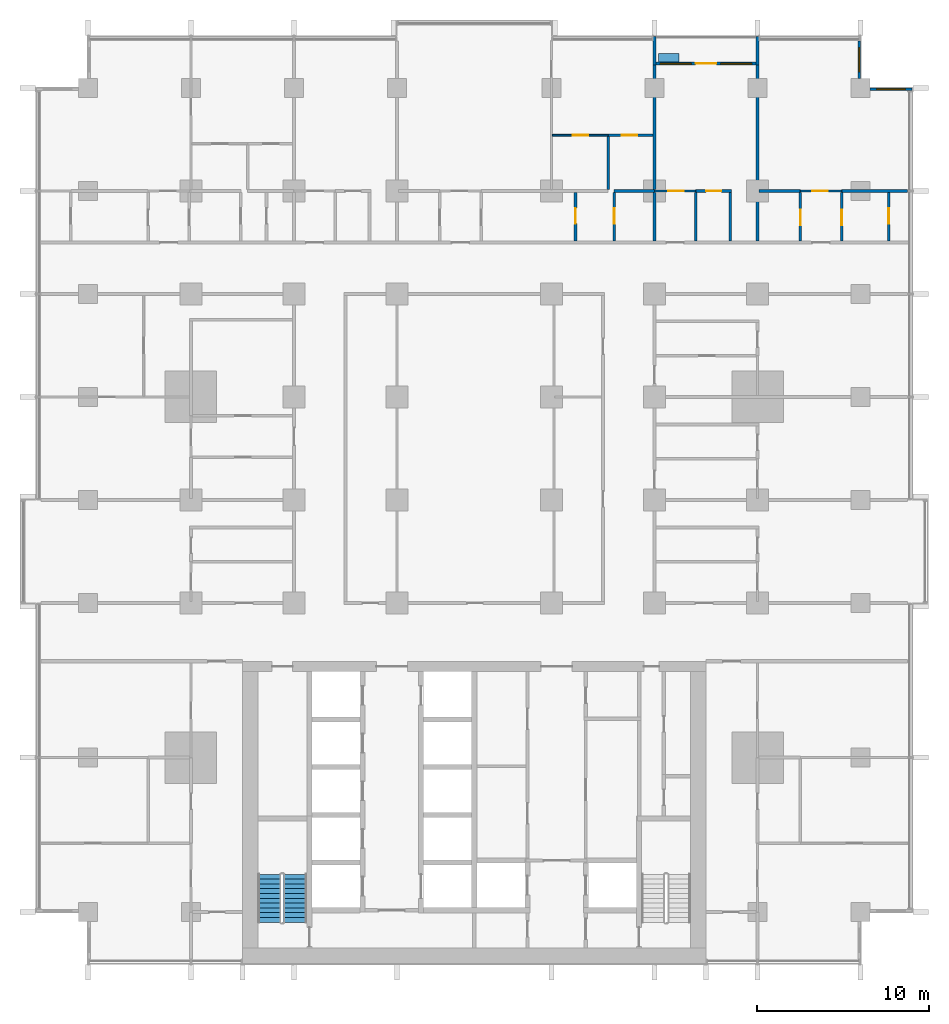
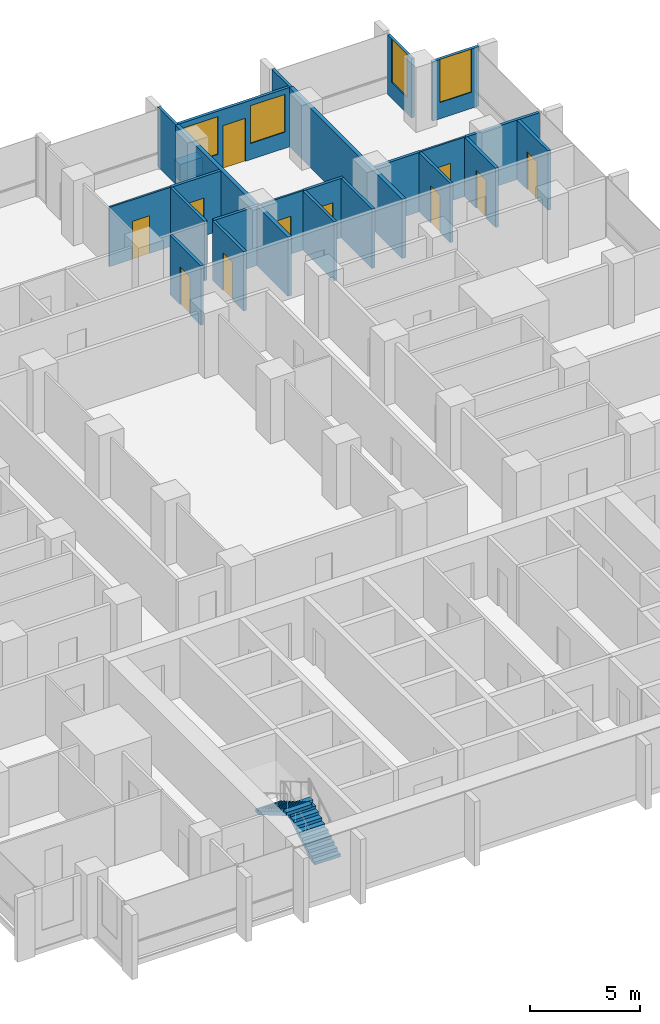
# One storey, part 12 of 18: 25 walls, 11 doors, 4 windows, 2 stair flights, 15 openings, 1 element without a shape of its own.
"""IFC4 building model written with IfcOpenShell, lengths in metres."""

import ifcopenshell
import ifcopenshell.guid

model = None  # the IFC model being written
_history = None  # IfcOwnerHistory: only IFC2X3 demands one
_inside = {}  # id of a spatial element -> (the spatial element, [elements in it])
_under = {}  # id of a project, library or spatial element -> (it, [spatial elements below it])
_declared = {}  # id of a project -> (the project, [libraries it declares])
_typed = {}  # id of a type object -> (the type object, [elements of that type])
_made_of = {}  # id of a material, layer set ... -> (it, [elements and type objects made of it])


def new_model(schema):
    """Start an empty IFC model of exactly this schema.

    Asked for "IFC4X3", IfcOpenShell would pick the latest addendum, in which some entities
    have other attributes; the version numbers below select the first issue.
    IFC2X3 requires an IfcOwnerHistory on every rooted entity: one is made here for all.
    """
    global model, _history
    if schema == "IFC4X3":
        model = ifcopenshell.file(schema_version=(4, 3, 0, 0))
    else:
        model = ifcopenshell.file(schema=schema)
    _inside.clear()
    _under.clear()
    _declared.clear()
    _typed.clear()
    _made_of.clear()
    _history = None
    if model.schema == "IFC2X3":
        org = make("IfcOrganization", Name="unknown")
        user = make(
            "IfcPersonAndOrganization",
            ThePerson=make("IfcPerson", FamilyName="unknown"),
            TheOrganization=org,
        )
        app = make(
            "IfcApplication",
            ApplicationDeveloper=org,
            Version="unknown",
            ApplicationFullName="unknown",
            ApplicationIdentifier="unknown",
        )
        _history = make(
            "IfcOwnerHistory",
            OwningUser=user,
            OwningApplication=app,
            ChangeAction="ADDED",
            CreationDate=0,
        )
    return model


def make(cls, **values):
    """One entity of the class cls with the attributes given. An attribute that is None is left unset."""
    return model.create_entity(
        cls, **{name: value for name, value in values.items() if value is not None}
    )


def rooted(cls, **values):
    """An entity with a GlobalId (a new one), such as an element, a storey or a relation."""
    return make(cls, GlobalId=ifcopenshell.guid.new(), OwnerHistory=_history, **values)


def si_unit(unit_type, name, prefix=None):
    """IfcSIUnit, for example si_unit("LENGTHUNIT", "METRE", prefix="MILLI")."""
    return make("IfcSIUnit", UnitType=unit_type, Prefix=prefix, Name=name)


def assignment(units):
    """IfcUnitAssignment: the units of a project."""
    return None if units is None else make("IfcUnitAssignment", Units=units)


def point(xyz):
    """IfcCartesianPoint."""
    return None if xyz is None else make("IfcCartesianPoint", Coordinates=xyz)


def direction(xyz):
    """IfcDirection."""
    return None if xyz is None else make("IfcDirection", DirectionRatios=xyz)


def frame(location, z_axis=None, x_axis=None):
    """IfcAxis2Placement3D, a coordinate frame: its origin and axes. An axis left out is left unset."""
    return make(
        "IfcAxis2Placement3D",
        Location=point(location),
        Axis=direction(z_axis),
        RefDirection=direction(x_axis),
    )


def frame_2d(location, x_axis=None):
    """IfcAxis2Placement2D, a coordinate frame in the plane: its origin and x axis."""
    return make(
        "IfcAxis2Placement2D", Location=point(location), RefDirection=direction(x_axis)
    )


def origin():
    """The frame at (0, 0, 0) with its axes left unset."""
    return frame((0.0, 0.0, 0.0))


def place(relative_to, where):
    """IfcLocalPlacement: puts the frame where relative to a parent placement (None: the world)."""
    return make(
        "IfcLocalPlacement", PlacementRelTo=relative_to, RelativePlacement=where
    )


def context(
    kind, dimensions, precision=None, world=None, true_north=None, identifier=None
):
    """IfcGeometricRepresentationContext, for example the 3D "Model" context."""
    return make(
        "IfcGeometricRepresentationContext",
        ContextIdentifier=identifier,
        ContextType=kind,
        CoordinateSpaceDimension=dimensions,
        Precision=precision,
        WorldCoordinateSystem=world,
        TrueNorth=true_north,
    )


def subcontext(parent, identifier, kind, view, scale=None):
    """IfcGeometricRepresentationSubContext, for example "Body" below "Model"."""
    return make(
        "IfcGeometricRepresentationSubContext",
        ContextIdentifier=identifier,
        ContextType=kind,
        ParentContext=parent,
        TargetScale=scale,
        TargetView=view,
    )


def project(units=None, contexts=None):
    """IfcProject with its units and contexts."""
    return rooted(
        "IfcProject",
        Name="project",
        RepresentationContexts=contexts,
        UnitsInContext=assignment(units),
    )


def spatial(cls, under=None, at=None, **own):
    """A site, building, storey or space (cls), placed at a placement, below another one or the project."""
    s = rooted(cls, ObjectPlacement=at, **own)
    if under is not None:
        _under.setdefault(under.id(), (under, []))[1].append(s)
    return s


def polyline(points):
    """IfcPolyline through the points."""
    return make("IfcPolyline", Points=[point(p) for p in points])


def profile(cls, at=None, kind="AREA", **sizes):
    """A parametric profile (cls). Its sizes go by their IFC names, for example OverallWidth=200.0."""
    return make(cls, ProfileType=kind, Position=at, **sizes)


def rectangle(**sizes):
    """IfcRectangleProfileDef."""
    return profile("IfcRectangleProfileDef", **sizes)


def outline(outer, holes=None, kind="AREA"):
    """IfcArbitraryClosedProfileDef: a profile drawn as a closed curve; with holes, ...WithVoids."""
    if holes is None:
        return make("IfcArbitraryClosedProfileDef", ProfileType=kind, OuterCurve=outer)
    return make(
        "IfcArbitraryProfileDefWithVoids",
        ProfileType=kind,
        OuterCurve=outer,
        InnerCurves=holes,
    )


def extrude(swept, where, along, depth):
    """IfcExtrudedAreaSolid: the profile swept, set in the frame where, extruded along a direction by depth."""
    return make(
        "IfcExtrudedAreaSolid",
        SweptArea=swept,
        Position=where,
        ExtrudedDirection=direction(along),
        Depth=depth,
    )


def shape(context_of_items, identifier, shape_type, items):
    """IfcShapeRepresentation: the items that make up one representation, for example the "Body"."""
    return make(
        "IfcShapeRepresentation",
        ContextOfItems=context_of_items,
        RepresentationIdentifier=identifier,
        RepresentationType=shape_type,
        Items=items,
    )


def material(Name=None, Category=None):
    """IfcMaterial."""
    return make("IfcMaterial", Name=Name, Category=Category)


def layer(
    of_material, thickness, ventilated=None, Name=None, Category=None, Priority=None
):
    """IfcMaterialLayer: one layer of a wall or slab, of a material (None: an air gap)."""
    return make(
        "IfcMaterialLayer",
        Material=of_material,
        LayerThickness=thickness,
        IsVentilated=ventilated,
        Name=Name,
        Category=Category,
        Priority=Priority,
    )


def layer_set(layers, Name=None):
    """IfcMaterialLayerSet."""
    return make("IfcMaterialLayerSet", MaterialLayers=layers, LayerSetName=Name)


def made_of(thing, what):
    """Note that an element or type object is made of a material, layer set ...; save() writes the relation."""
    if what is not None:
        _made_of.setdefault(what.id(), (what, []))[1].append(thing)
    return thing


def type_object(cls, material=None, **own):
    """A type object (cls), such as IfcWallType, which elements share."""
    return made_of(rooted(cls, **own), material)


def element(
    cls,
    number,
    at=None,
    inside=None,
    cuts=None,
    type_object=None,
    material=None,
    context=None,
    identifier="Body",
    shape_type=None,
    held_by="IfcProductDefinitionShape",
    body=None,
    shapes=None,
    **own,
):
    """One element of the class cls, such as IfcWall. Its Tag is "e" and its number.

    at: its placement. inside: the storey or other place that contains it. cuts: it is an
    opening in that element (IfcRelVoidsElement). A single representation is given by context,
    identifier, shape_type and body (its items); several are given by shapes. held_by: the class
    of the entity that holds the representations. save() writes the other relations.
    """
    e = rooted(cls, Tag="e%d" % number, ObjectPlacement=at, **own)
    if body is not None:
        shapes = [shape(context, identifier, shape_type, body)]
    if shapes is not None:
        e.Representation = make(held_by, Representations=shapes)
    if inside is not None:
        _inside.setdefault(inside.id(), (inside, []))[1].append(e)
    if cuts is not None:
        rooted(
            "IfcRelVoidsElement", RelatingBuildingElement=cuts, RelatedOpeningElement=e
        )
    if type_object is not None:
        _typed.setdefault(type_object.id(), (type_object, []))[1].append(e)
    return made_of(e, material)


def fill(opening, filler):
    """IfcRelFillsElement: the door or window that sits in an opening."""
    return rooted(
        "IfcRelFillsElement",
        RelatingOpeningElement=opening,
        RelatedBuildingElement=filler,
    )


def aggregate(whole, parts):
    """IfcRelAggregates: a whole, such as a stair, and the parts it consists of."""
    return rooted("IfcRelAggregates", RelatingObject=whole, RelatedObjects=parts)


def save(model, path):
    """Write the relations noted so far, then the file.

    IfcRelAggregates (storeys below a building ...), IfcRelContainedInSpatialStructure (elements
    in a storey), IfcRelDefinesByType, IfcRelAssociatesMaterial and IfcRelDeclares: one each for
    every whole, place, type object, material and project.
    """
    for whole, parts in _under.values():
        aggregate(whole, parts)
    for where, things in _inside.values():
        rooted(
            "IfcRelContainedInSpatialStructure",
            RelatedElements=things,
            RelatingStructure=where,
        )
    for kind, things in _typed.values():
        rooted("IfcRelDefinesByType", RelatedObjects=things, RelatingType=kind)
    for what, things in _made_of.values():
        rooted("IfcRelAssociatesMaterial", RelatedObjects=things, RelatingMaterial=what)
    for by, libraries in _declared.values():
        rooted("IfcRelDeclares", RelatingContext=by, RelatedDefinitions=libraries)
    model.write(path)


model = new_model("IFC4")

# Units and contexts
model_context = context("Model", 3, precision=1e-05, world=origin(), true_north=direction((0.0, 1.0)))
body_context = subcontext(model_context, "Body", "Model", "MODEL_VIEW")
ifc_project = project(units=[si_unit("LENGTHUNIT", "METRE"), si_unit("AREAUNIT", "SQUARE_METRE"), si_unit("VOLUMEUNIT", "CUBIC_METRE"), si_unit("PLANEANGLEUNIT", "RADIAN"), si_unit("MASSUNIT", "GRAM", prefix="KILO")], contexts=[model_context])

# Site, building, storey
site_placement = place(None, origin())
site = spatial("IfcSite", under=ifc_project, at=site_placement, CompositionType="ELEMENT")
building_placement = place(site_placement, origin())
building = spatial("IfcBuilding", under=site, at=building_placement, Name="Finial Court Residences", CompositionType="ELEMENT")
storey_placement = place(building_placement, frame((0.0, 0.0, 57.699951171875)))
storey = spatial("IfcBuildingStorey", under=building, at=storey_placement, Name="L13", CompositionType="ELEMENT", Elevation=57.699951171875)

# Walls
ifc_material_1 = material(Name="Gypsum board")
ifc_layer_1 = layer(ifc_material_1, 0.02490234375)
ifc_material_2 = material(Name="Acoustic mineral wool in double frame")
ifc_layer_2 = layer(ifc_material_2, 0.14990234375)
ifc_layer_3 = layer(ifc_material_1, 0.02490234375)
ifc_layer_set_1 = layer_set([ifc_layer_1, ifc_layer_2, ifc_layer_3], Name="Acoustic party wall 200, 1 hour")
wall_type_1 = type_object("IfcWallType", Name="Acoustic party wall 200, 1 hour", PredefinedType="PARTITIONING", material=ifc_layer_set_1)
wall_1_placement = place(storey_placement, frame((10.5, 16.60009765625, 0.0), z_axis=(0.0, 0.0, 1.0), x_axis=(0.0, 1.0, 0.0)))
element("IfcWall", 1, at=wall_1_placement, inside=storey, type_object=wall_type_1, Name="Partition L13-090", PredefinedType="PARTITIONING", context=body_context, shape_type="SweptSolid", body=[
    extrude(rectangle(XDim=2.824951171875, YDim=0.199951171875, at=frame_2d((1.41259765625, 0.0))), origin(), (0.0, 0.0, 1.0), 3.300048828125),
])
wall_2_placement = place(storey_placement, frame((10.5, 19.574951171875, 0.0), z_axis=(0.0, 0.0, 1.0), x_axis=(0.0, 1.0, 0.0)))
element("IfcWall", 2, at=wall_2_placement, inside=storey, type_object=wall_type_1, Name="Partition L13-091", PredefinedType="PARTITIONING", context=body_context, shape_type="SweptSolid", body=[
    extrude(rectangle(XDim=7.275146484375, YDim=0.199951171875, at=frame_2d((3.6376953125, 0.0))), origin(), (0.0, 0.0, 1.0), 3.300048828125),
])
wall_3_placement = place(storey_placement, frame((16.5, 16.60009765625, 0.0), z_axis=(0.0, 0.0, 1.0), x_axis=(0.0, 1.0, 0.0)))
element("IfcWall", 3, at=wall_3_placement, inside=storey, type_object=wall_type_1, Name="Partition L13-099", PredefinedType="PARTITIONING", context=body_context, shape_type="SweptSolid", body=[
    extrude(rectangle(XDim=10.25, YDim=0.199951171875, at=frame_2d((5.125, 0.0))), origin(), (0.0, 0.0, 1.0), 3.300048828125),
])

# Wall, opening, door
ifc_layer_4 = layer(ifc_material_1, 0.012451171875)
ifc_material_3 = material(Name="Mineral wool in light-gauge frame")
ifc_layer_5 = layer(ifc_material_3, 0.074951171875)
ifc_layer_6 = layer(ifc_material_1, 0.012451171875)
ifc_layer_set_2 = layer_set([ifc_layer_4, ifc_layer_5, ifc_layer_6], Name="Gypsum board partition 100")
wall_type_2 = type_object("IfcWallType", Name="Gypsum board partition 100", PredefinedType="PARTITIONING", material=ifc_layer_set_2)
wall_4_placement = place(storey_placement, frame((10.5, 19.5, 0.0), z_axis=(0.0, 0.0, 1.0), x_axis=(1.0, 0.0, 0.0)))
wall_4 = element("IfcWall", 4, at=wall_4_placement, inside=storey, type_object=wall_type_2, Name="Partition L13-039", PredefinedType="PARTITIONING", context=body_context, shape_type="SweptSolid", body=[
    extrude(rectangle(XDim=2.39990234375, YDim=0.10009765625, at=frame_2d((1.199951171875, 0.0))), origin(), (0.0, 0.0, 1.0), 3.300048828125),
])
opening_1_placement = place(wall_4_placement, frame((0.800048828125, 0.0, 0.0)))
opening_1 = element("IfcOpeningElement", 5, at=opening_1_placement, cuts=wall_4, Name="Opening L13-D023", PredefinedType="OPENING", context=body_context, shape_type="SweptSolid", body=[
    extrude(rectangle(XDim=0.89990234375, YDim=2.10009765625, at=frame_2d((0.449951171875, 1.050048828125))), frame((0.0, 0.06005859375, 0.0), z_axis=(0.0, -1.0, 0.0), x_axis=(1.0, 0.0, 0.0)), (0.0, 0.0, 1.0), 0.1201171875),
])
ifc_material_4 = material(Name="Timber door leaf in timber frame", Category="wood")
door_type_1 = type_object("IfcDoorType", Name="Door set 900 x 2100", OperationType="SINGLE_SWING_LEFT", PredefinedType="DOOR", material=ifc_material_4)
door_1_placement = place(opening_1_placement, origin())
door_1 = element("IfcDoor", 6, at=door_1_placement, inside=storey, type_object=door_type_1, Name="Door L13-D023", OperationType="SINGLE_SWING_RIGHT", OverallHeight=2.10009765625, OverallWidth=0.89990234375, PredefinedType="DOOR", context=body_context, shape_type="SweptSolid", body=[
    extrude(rectangle(XDim=0.89990234375, YDim=2.10009765625, at=frame_2d((0.449951171875, 1.050048828125))), frame((0.0, 0.02490234375, 0.0), z_axis=(0.0, -1.0, 0.0), x_axis=(1.0, 0.0, 0.0)), (0.0, 0.0, 1.0), 0.050048828125),
])
fill(opening_1, door_1)

wall_5_placement = place(storey_placement, frame((19.0, 19.5, 0.0), z_axis=(0.0, 0.0, 1.0), x_axis=(1.0, 0.0, 0.0)))
wall_5 = element("IfcWall", 7, at=wall_5_placement, inside=storey, type_object=wall_type_2, Name="Partition L13-040", PredefinedType="PARTITIONING", context=body_context, shape_type="SweptSolid", body=[
    extrude(rectangle(XDim=2.39990234375, YDim=0.10009765625, at=frame_2d((1.199951171875, 0.0))), origin(), (0.0, 0.0, 1.0), 3.300048828125),
])
opening_2_placement = place(wall_5_placement, frame((0.699951171875, 0.0, 0.0)))
opening_2 = element("IfcOpeningElement", 8, at=opening_2_placement, cuts=wall_5, Name="Opening L13-D024", PredefinedType="OPENING", context=body_context, shape_type="SweptSolid", body=[
    extrude(rectangle(XDim=0.89990234375, YDim=2.10009765625, at=frame_2d((0.449951171875, 1.050048828125))), frame((0.0, 0.06005859375, 0.0), z_axis=(0.0, -1.0, 0.0), x_axis=(1.0, 0.0, 0.0)), (0.0, 0.0, 1.0), 0.1201171875),
])
door_2_placement = place(opening_2_placement, origin())
door_2 = element("IfcDoor", 9, at=door_2_placement, inside=storey, type_object=door_type_1, Name="Door L13-D024", OperationType="SINGLE_SWING_RIGHT", OverallHeight=2.10009765625, OverallWidth=0.89990234375, PredefinedType="DOOR", context=body_context, shape_type="SweptSolid", body=[
    extrude(rectangle(XDim=0.89990234375, YDim=2.10009765625, at=frame_2d((0.449951171875, 1.050048828125))), frame((0.0, 0.02490234375, 0.0), z_axis=(0.0, -1.0, 0.0), x_axis=(1.0, 0.0, 0.0)), (0.0, 0.0, 1.0), 0.050048828125),
])
fill(opening_2, door_2)

wall_6_placement = place(storey_placement, frame((4.550048828125, 22.75, 0.0), z_axis=(0.0, 0.0, 1.0), x_axis=(1.0, 0.0, 0.0)))
wall_6 = element("IfcWall", 10, at=wall_6_placement, inside=storey, type_object=wall_type_2, Name="Partition L13-053", PredefinedType="PARTITIONING", context=body_context, shape_type="SweptSolid", body=[
    extrude(rectangle(XDim=3.25, YDim=0.10009765625, at=frame_2d((1.625, 0.0))), origin(), (0.0, 0.0, 1.0), 3.300048828125),
])
opening_3_placement = place(wall_6_placement, frame((1.199951171875, 0.0, 0.0)))
opening_3 = element("IfcOpeningElement", 11, at=opening_3_placement, cuts=wall_6, Name="Opening L13-D029", PredefinedType="OPENING", context=body_context, shape_type="SweptSolid", body=[
    extrude(rectangle(XDim=0.89990234375, YDim=2.10009765625, at=frame_2d((0.449951171875, 1.050048828125))), frame((0.0, 0.06005859375, 0.0), z_axis=(0.0, -1.0, 0.0), x_axis=(1.0, 0.0, 0.0)), (0.0, 0.0, 1.0), 0.1201171875),
])
door_3_placement = place(opening_3_placement, origin())
door_3 = element("IfcDoor", 12, at=door_3_placement, inside=storey, type_object=door_type_1, Name="Door L13-D029", OperationType="SINGLE_SWING_LEFT", OverallHeight=2.10009765625, OverallWidth=0.89990234375, PredefinedType="DOOR", context=body_context, shape_type="SweptSolid", body=[
    extrude(rectangle(XDim=0.89990234375, YDim=2.10009765625, at=frame_2d((0.449951171875, 1.050048828125))), frame((0.0, 0.02490234375, 0.0), z_axis=(0.0, -1.0, 0.0), x_axis=(1.0, 0.0, 0.0)), (0.0, 0.0, 1.0), 0.050048828125),
])
fill(opening_3, door_3)

# Wall
ifc_material_5 = material(Name="Moisture-resistant gypsum board")
ifc_layer_7 = layer(ifc_material_5, 0.012451171875)
ifc_layer_8 = layer(ifc_material_3, 0.125)
ifc_layer_9 = layer(ifc_material_5, 0.012451171875)
ifc_layer_set_3 = layer_set([ifc_layer_7, ifc_layer_8, ifc_layer_9], Name="Gypsum board wet-area partition 150")
wall_type_3 = type_object("IfcWallType", Name="Gypsum board wet-area partition 150", PredefinedType="PARTITIONING", material=ifc_layer_set_3)
wall_7_placement = place(storey_placement, frame((8.14990234375, 19.5, 0.0), z_axis=(0.0, 0.0, 1.0), x_axis=(1.0, 0.0, 0.0)))
element("IfcWall", 13, at=wall_7_placement, inside=storey, type_object=wall_type_3, Name="Partition L13-047", PredefinedType="PARTITIONING", context=body_context, shape_type="SweptSolid", body=[
    extrude(rectangle(XDim=2.35009765625, YDim=0.14990234375, at=frame_2d((1.175048828125, 0.0))), origin(), (0.0, 0.0, 1.0), 3.300048828125),
])

# Wall, opening, door
wall_8_placement = place(storey_placement, frame((12.89990234375, 19.5, 0.0), z_axis=(0.0, 0.0, 1.0), x_axis=(1.0, 0.0, 0.0)))
wall_8 = element("IfcWall", 14, at=wall_8_placement, inside=storey, type_object=wall_type_3, Name="Partition L13-048", PredefinedType="PARTITIONING", context=body_context, shape_type="SweptSolid", body=[
    extrude(rectangle(XDim=2.0751953125, YDim=0.14990234375, at=frame_2d((1.03759765625, 0.0))), origin(), (0.0, 0.0, 1.0), 3.300048828125),
])
opening_4_placement = place(wall_8_placement, frame((0.60009765625, 0.0, 0.0)))
opening_4 = element("IfcOpeningElement", 15, at=opening_4_placement, cuts=wall_8, Name="Opening L13-D026", PredefinedType="OPENING", context=body_context, shape_type="SweptSolid", body=[
    extrude(rectangle(XDim=0.89990234375, YDim=2.10009765625, at=frame_2d((0.449951171875, 1.050048828125))), frame((0.0, 0.0849609375, 0.0), z_axis=(0.0, -1.0, 0.0), x_axis=(1.0, 0.0, 0.0)), (0.0, 0.0, 1.0), 0.169921875),
])
door_4_placement = place(opening_4_placement, origin())
door_4 = element("IfcDoor", 16, at=door_4_placement, inside=storey, type_object=door_type_1, Name="Door L13-D026", OperationType="SINGLE_SWING_RIGHT", OverallHeight=2.10009765625, OverallWidth=0.89990234375, PredefinedType="DOOR", context=body_context, shape_type="SweptSolid", body=[
    extrude(rectangle(XDim=0.89990234375, YDim=2.10009765625, at=frame_2d((0.449951171875, 1.050048828125))), frame((0.0, 0.02490234375, 0.0), z_axis=(0.0, -1.0, 0.0), x_axis=(1.0, 0.0, 0.0)), (0.0, 0.0, 1.0), 0.050048828125),
])
fill(opening_4, door_4)

# Walls
wall_9_placement = place(storey_placement, frame((16.60009765625, 19.5, 0.0), z_axis=(0.0, 0.0, 1.0), x_axis=(1.0, 0.0, 0.0)))
element("IfcWall", 17, at=wall_9_placement, inside=storey, type_object=wall_type_3, Name="Partition L13-049", PredefinedType="PARTITIONING", context=body_context, shape_type="SweptSolid", body=[
    extrude(rectangle(XDim=2.39990234375, YDim=0.14990234375, at=frame_2d((1.199951171875, 0.0))), origin(), (0.0, 0.0, 1.0), 3.300048828125),
])
wall_10_placement = place(storey_placement, frame((21.39990234375, 19.5, 0.0), z_axis=(0.0, 0.0, 1.0), x_axis=(1.0, 0.0, 0.0)))
element("IfcWall", 18, at=wall_10_placement, inside=storey, type_object=wall_type_3, Name="Partition L13-050", PredefinedType="PARTITIONING", context=body_context, shape_type="SweptSolid", body=[
    extrude(rectangle(XDim=3.85009765625, YDim=0.14990234375, at=frame_2d((1.925048828125, 0.0))), origin(), (0.0, 0.0, 1.0), 3.300048828125),
])

# Wall, opening, door
wall_11_placement = place(storey_placement, frame((7.800048828125, 22.75, 0.0), z_axis=(0.0, 0.0, 1.0), x_axis=(1.0, 0.0, 0.0)))
wall_11 = element("IfcWall", 19, at=wall_11_placement, inside=storey, type_object=wall_type_3, Name="Partition L13-054", PredefinedType="PARTITIONING", context=body_context, shape_type="SweptSolid", body=[
    extrude(rectangle(XDim=2.599853515625, YDim=0.14990234375, at=frame_2d((1.2998046875, 0.0))), origin(), (0.0, 0.0, 1.0), 3.300048828125),
])
opening_5_placement = place(wall_11_placement, frame((0.800048828125, 0.0, 0.0)))
opening_5 = element("IfcOpeningElement", 20, at=opening_5_placement, cuts=wall_11, Name="Opening L13-D030", PredefinedType="OPENING", context=body_context, shape_type="SweptSolid", body=[
    extrude(rectangle(XDim=0.89990234375, YDim=2.10009765625, at=frame_2d((0.449951171875, 1.050048828125))), frame((0.0, 0.0849609375, 0.0), z_axis=(0.0, -1.0, 0.0), x_axis=(1.0, 0.0, 0.0)), (0.0, 0.0, 1.0), 0.169921875),
])
door_5_placement = place(opening_5_placement, origin())
door_5 = element("IfcDoor", 21, at=door_5_placement, inside=storey, type_object=door_type_1, Name="Door L13-D030", OperationType="SINGLE_SWING_LEFT", OverallHeight=2.10009765625, OverallWidth=0.89990234375, PredefinedType="DOOR", context=body_context, shape_type="SweptSolid", body=[
    extrude(rectangle(XDim=0.89990234375, YDim=2.10009765625, at=frame_2d((0.449951171875, 1.050048828125))), frame((0.0, 0.02490234375, 0.0), z_axis=(0.0, -1.0, 0.0), x_axis=(1.0, 0.0, 0.0)), (0.0, 0.0, 1.0), 0.050048828125),
])
fill(opening_5, door_5)

wall_12_placement = place(storey_placement, frame((5.89990234375, 16.60009765625, 0.0), z_axis=(0.0, 0.0, 1.0), x_axis=(0.0, 1.0, 0.0)))
wall_12 = element("IfcWall", 22, at=wall_12_placement, inside=storey, type_object=wall_type_3, Name="Partition L13-085", PredefinedType="PARTITIONING", context=body_context, shape_type="SweptSolid", body=[
    extrude(rectangle(XDim=2.824951171875, YDim=0.14990234375, at=frame_2d((1.41259765625, 0.0))), origin(), (0.0, 0.0, 1.0), 3.300048828125),
])
opening_6_placement = place(wall_12_placement, frame((1.0, 0.0, 0.0)))
opening_6 = element("IfcOpeningElement", 23, at=opening_6_placement, cuts=wall_12, Name="Opening L13-D048", PredefinedType="OPENING", context=body_context, shape_type="SweptSolid", body=[
    extrude(rectangle(XDim=0.89990234375, YDim=2.10009765625, at=frame_2d((0.449951171875, 1.050048828125))), frame((0.0, 0.0849609375, 0.0), z_axis=(0.0, -1.0, 0.0), x_axis=(1.0, 0.0, 0.0)), (0.0, 0.0, 1.0), 0.169921875),
])
door_6_placement = place(opening_6_placement, origin())
door_6 = element("IfcDoor", 24, at=door_6_placement, inside=storey, type_object=door_type_1, Name="Door L13-D048", OperationType="SINGLE_SWING_RIGHT", OverallHeight=2.10009765625, OverallWidth=0.89990234375, PredefinedType="DOOR", context=body_context, shape_type="SweptSolid", body=[
    extrude(rectangle(XDim=0.89990234375, YDim=2.10009765625, at=frame_2d((0.449951171875, 1.050048828125))), frame((0.0, 0.02490234375, 0.0), z_axis=(0.0, -1.0, 0.0), x_axis=(1.0, 0.0, 0.0)), (0.0, 0.0, 1.0), 0.050048828125),
])
fill(opening_6, door_6)

# Wall
wall_13_placement = place(storey_placement, frame((7.800048828125, 19.574951171875, 0.0), z_axis=(0.0, 0.0, 1.0), x_axis=(0.0, 1.0, 0.0)))
element("IfcWall", 25, at=wall_13_placement, inside=storey, type_object=wall_type_3, Name="Partition L13-087", PredefinedType="PARTITIONING", context=body_context, shape_type="SweptSolid", body=[
    extrude(rectangle(XDim=3.10009765625, YDim=0.14990234375, at=frame_2d((1.550048828125, 0.0))), origin(), (0.0, 0.0, 1.0), 3.300048828125),
])

# Wall, opening, door
wall_14_placement = place(storey_placement, frame((8.14990234375, 16.60009765625, 0.0), z_axis=(0.0, 0.0, 1.0), x_axis=(0.0, 1.0, 0.0)))
wall_14 = element("IfcWall", 26, at=wall_14_placement, inside=storey, type_object=wall_type_3, Name="Partition L13-088", PredefinedType="PARTITIONING", context=body_context, shape_type="SweptSolid", body=[
    extrude(rectangle(XDim=2.824951171875, YDim=0.14990234375, at=frame_2d((1.41259765625, 0.0))), origin(), (0.0, 0.0, 1.0), 3.300048828125),
])
opening_7_placement = place(wall_14_placement, frame((1.0, 0.0, 0.0)))
opening_7 = element("IfcOpeningElement", 27, at=opening_7_placement, cuts=wall_14, Name="Opening L13-D051", PredefinedType="OPENING", context=body_context, shape_type="SweptSolid", body=[
    extrude(rectangle(XDim=0.89990234375, YDim=2.10009765625, at=frame_2d((0.449951171875, 1.050048828125))), frame((0.0, 0.0849609375, 0.0), z_axis=(0.0, -1.0, 0.0), x_axis=(1.0, 0.0, 0.0)), (0.0, 0.0, 1.0), 0.169921875),
])
door_7_placement = place(opening_7_placement, origin())
door_7 = element("IfcDoor", 28, at=door_7_placement, inside=storey, type_object=door_type_1, Name="Door L13-D051", OperationType="SINGLE_SWING_RIGHT", OverallHeight=2.10009765625, OverallWidth=0.89990234375, PredefinedType="DOOR", context=body_context, shape_type="SweptSolid", body=[
    extrude(rectangle(XDim=0.89990234375, YDim=2.10009765625, at=frame_2d((0.449951171875, 1.050048828125))), frame((0.0, 0.02490234375, 0.0), z_axis=(0.0, -1.0, 0.0), x_axis=(1.0, 0.0, 0.0)), (0.0, 0.0, 1.0), 0.050048828125),
])
fill(opening_7, door_7)

# Walls
for number, where, z_axis, x_axis, name in (
    (29, (12.89990234375, 16.60009765625, 0.0), (0.0, 0.0, 1.0), (0.0, 1.0, 0.0), "Partition L13-092"),
    (30, (14.89990234375, 16.60009765625, 0.0), (0.0, 0.0, 1.0), (0.0, 1.0, 0.0), "Partition L13-093"),
):
    element("IfcWall", number, at=place(storey_placement, frame(where, z_axis=z_axis, x_axis=x_axis)), inside=storey, type_object=wall_type_3, Name=name, PredefinedType="PARTITIONING", context=body_context, shape_type="SweptSolid", body=[
        extrude(rectangle(XDim=2.824951171875, YDim=0.14990234375, at=frame_2d((1.41259765625, 0.0))), origin(), (0.0, 0.0, 1.0), 3.300048828125),
    ])

# Wall, opening, door
wall_15_placement = place(storey_placement, frame((19.0, 16.60009765625, 0.0), z_axis=(0.0, 0.0, 1.0), x_axis=(0.0, 1.0, 0.0)))
wall_15 = element("IfcWall", 31, at=wall_15_placement, inside=storey, type_object=wall_type_3, Name="Partition L13-106", PredefinedType="PARTITIONING", context=body_context, shape_type="SweptSolid", body=[
    extrude(rectangle(XDim=2.824951171875, YDim=0.14990234375, at=frame_2d((1.41259765625, 0.0))), origin(), (0.0, 0.0, 1.0), 3.300048828125),
])
opening_8_placement = place(wall_15_placement, frame((0.89990234375, 0.0, 0.0)))
opening_8 = element("IfcOpeningElement", 32, at=opening_8_placement, cuts=wall_15, Name="Opening L13-D062", PredefinedType="OPENING", context=body_context, shape_type="SweptSolid", body=[
    extrude(rectangle(XDim=0.89990234375, YDim=2.10009765625, at=frame_2d((0.449951171875, 1.050048828125))), frame((0.0, 0.0849609375, 0.0), z_axis=(0.0, -1.0, 0.0), x_axis=(1.0, 0.0, 0.0)), (0.0, 0.0, 1.0), 0.169921875),
])
door_8_placement = place(opening_8_placement, origin())
door_8 = element("IfcDoor", 33, at=door_8_placement, inside=storey, type_object=door_type_1, Name="Door L13-D062", OperationType="SINGLE_SWING_RIGHT", OverallHeight=2.10009765625, OverallWidth=0.89990234375, PredefinedType="DOOR", context=body_context, shape_type="SweptSolid", body=[
    extrude(rectangle(XDim=0.89990234375, YDim=2.10009765625, at=frame_2d((0.449951171875, 1.050048828125))), frame((0.0, 0.02490234375, 0.0), z_axis=(0.0, -1.0, 0.0), x_axis=(1.0, 0.0, 0.0)), (0.0, 0.0, 1.0), 0.050048828125),
])
fill(opening_8, door_8)

wall_16_placement = place(storey_placement, frame((21.39990234375, 16.60009765625, 0.0), z_axis=(0.0, 0.0, 1.0), x_axis=(0.0, 1.0, 0.0)))
wall_16 = element("IfcWall", 34, at=wall_16_placement, inside=storey, type_object=wall_type_3, Name="Partition L13-107", PredefinedType="PARTITIONING", context=body_context, shape_type="SweptSolid", body=[
    extrude(rectangle(XDim=2.824951171875, YDim=0.14990234375, at=frame_2d((1.41259765625, 0.0))), origin(), (0.0, 0.0, 1.0), 3.300048828125),
])
opening_9_placement = place(wall_16_placement, frame((0.89990234375, 0.0, 0.0)))
opening_9 = element("IfcOpeningElement", 35, at=opening_9_placement, cuts=wall_16, Name="Opening L13-D063", PredefinedType="OPENING", context=body_context, shape_type="SweptSolid", body=[
    extrude(rectangle(XDim=0.89990234375, YDim=2.10009765625, at=frame_2d((0.449951171875, 1.050048828125))), frame((0.0, 0.0849609375, 0.0), z_axis=(0.0, -1.0, 0.0), x_axis=(1.0, 0.0, 0.0)), (0.0, 0.0, 1.0), 0.169921875),
])
door_9_placement = place(opening_9_placement, origin())
door_9 = element("IfcDoor", 36, at=door_9_placement, inside=storey, type_object=door_type_1, Name="Door L13-D063", OperationType="SINGLE_SWING_RIGHT", OverallHeight=2.10009765625, OverallWidth=0.89990234375, PredefinedType="DOOR", context=body_context, shape_type="SweptSolid", body=[
    extrude(rectangle(XDim=0.89990234375, YDim=2.10009765625, at=frame_2d((0.449951171875, 1.050048828125))), frame((0.0, 0.02490234375, 0.0), z_axis=(0.0, -1.0, 0.0), x_axis=(1.0, 0.0, 0.0)), (0.0, 0.0, 1.0), 0.050048828125),
])
fill(opening_9, door_9)

wall_17_placement = place(storey_placement, frame((24.14990234375, 16.60009765625, 0.0), z_axis=(0.0, 0.0, 1.0), x_axis=(0.0, 1.0, 0.0)))
wall_17 = element("IfcWall", 37, at=wall_17_placement, inside=storey, type_object=wall_type_3, Name="Partition L13-108", PredefinedType="PARTITIONING", context=body_context, shape_type="SweptSolid", body=[
    extrude(rectangle(XDim=2.824951171875, YDim=0.14990234375, at=frame_2d((1.41259765625, 0.0))), origin(), (0.0, 0.0, 1.0), 3.300048828125),
])
opening_10_placement = place(wall_17_placement, frame((1.0, 0.0, 0.0)))
opening_10 = element("IfcOpeningElement", 38, at=opening_10_placement, cuts=wall_17, Name="Opening L13-D064", PredefinedType="OPENING", context=body_context, shape_type="SweptSolid", body=[
    extrude(rectangle(XDim=0.89990234375, YDim=2.10009765625, at=frame_2d((0.449951171875, 1.050048828125))), frame((0.0, 0.0849609375, 0.0), z_axis=(0.0, -1.0, 0.0), x_axis=(1.0, 0.0, 0.0)), (0.0, 0.0, 1.0), 0.169921875),
])
door_10_placement = place(opening_10_placement, origin())
door_10 = element("IfcDoor", 39, at=door_10_placement, inside=storey, type_object=door_type_1, Name="Door L13-D064", OperationType="SINGLE_SWING_RIGHT", OverallHeight=2.10009765625, OverallWidth=0.89990234375, PredefinedType="DOOR", context=body_context, shape_type="SweptSolid", body=[
    extrude(rectangle(XDim=0.89990234375, YDim=2.10009765625, at=frame_2d((0.449951171875, 1.050048828125))), frame((0.0, 0.02490234375, 0.0), z_axis=(0.0, -1.0, 0.0), x_axis=(1.0, 0.0, 0.0)), (0.0, 0.0, 1.0), 0.050048828125),
])
fill(opening_10, door_10)

# Wall, opening, window
ifc_material_6 = material(Name="Natural limestone", Category="masonry")
ifc_layer_10 = layer(ifc_material_6, 0.14990234375)
ifc_layer_set_4 = layer_set([ifc_layer_10], Name="Limestone clad wall 150")
wall_type_4 = type_object("IfcWallType", Name="Limestone clad wall 150", PredefinedType="SOLIDWALL", material=ifc_layer_set_4)
wall_18_placement = place(storey_placement, frame((22.425048828125, 28.25, 0.0), z_axis=(0.0, 0.0, 1.0), x_axis=(0.0, -1.0, 0.0)))
wall_18 = element("IfcWall", 40, at=wall_18_placement, inside=storey, type_object=wall_type_4, Name="E-L13-NWE19", PredefinedType="SOLIDWALL", context=body_context, shape_type="SweptSolid", body=[
    extrude(rectangle(XDim=2.199951171875, YDim=0.14990234375, at=frame_2d((1.10009765625, 0.0))), origin(), (0.0, 0.0, 1.0), 3.300048828125),
])
opening_11_placement = place(wall_18_placement, frame((0.39990234375, 0.0, 0.89990234375)))
opening_11 = element("IfcOpeningElement", 41, at=opening_11_placement, cuts=wall_18, Name="Opening WE13-07", PredefinedType="OPENING", context=body_context, shape_type="SweptSolid", body=[
    extrude(rectangle(XDim=1.39990234375, YDim=2.39990234375, at=frame_2d((0.699951171875, 1.199951171875))), frame((0.0, 0.0849609375, 0.0), z_axis=(0.0, -1.0, 0.0), x_axis=(1.0, 0.0, 0.0)), (0.0, 0.0, 1.0), 0.169921875),
])
ifc_material_7 = material(Name="Clear low-e glass", Category="glass")
window_type_1 = type_object("IfcWindowType", Name="Corner window 1400 x 2400", PartitioningType="SINGLE_PANEL", PredefinedType="WINDOW", material=ifc_material_7)
window_1_placement = place(opening_11_placement, origin())
window_1 = element("IfcWindow", 42, at=window_1_placement, inside=storey, type_object=window_type_1, Name="E-L13-NWE19-W1", OverallHeight=2.39990234375, OverallWidth=1.39990234375, PartitioningType="SINGLE_PANEL", PredefinedType="WINDOW", context=body_context, shape_type="SweptSolid", body=[
    extrude(rectangle(XDim=1.39990234375, YDim=2.39990234375, at=frame_2d((0.699951171875, 1.199951171875))), frame((0.0, 0.030029296875, 0.0), z_axis=(0.0, -1.0, 0.0), x_axis=(1.0, 0.0, 0.0)), (0.0, 0.0, 1.0), 0.06005859375),
])
fill(opening_11, window_1)

wall_19_placement = place(storey_placement, frame((23.050048828125, 25.425048828125, 0.0), z_axis=(0.0, 0.0, 1.0), x_axis=(1.0, 0.0, 0.0)))
wall_19 = element("IfcWall", 43, at=wall_19_placement, inside=storey, type_object=wall_type_4, Name="E-L13-NWN20", PredefinedType="SOLIDWALL", context=body_context, shape_type="SweptSolid", body=[
    extrude(rectangle(XDim=2.449951171875, YDim=0.14990234375, at=frame_2d((1.22509765625, 0.0))), origin(), (0.0, 0.0, 1.0), 3.300048828125),
])
opening_12_placement = place(wall_19_placement, frame((0.39990234375, 0.0, 0.89990234375)))
opening_12 = element("IfcOpeningElement", 44, at=opening_12_placement, cuts=wall_19, Name="Opening WE13-08", PredefinedType="OPENING", context=body_context, shape_type="SweptSolid", body=[
    extrude(rectangle(XDim=1.64990234375, YDim=2.39990234375, at=frame_2d((0.824951171875, 1.199951171875))), frame((0.0, 0.0849609375, 0.0), z_axis=(0.0, -1.0, 0.0), x_axis=(1.0, 0.0, 0.0)), (0.0, 0.0, 1.0), 0.169921875),
])
window_type_2 = type_object("IfcWindowType", Name="Corner window 1650 x 2400", PartitioningType="SINGLE_PANEL", PredefinedType="WINDOW", material=ifc_material_7)
window_2_placement = place(opening_12_placement, origin())
window_2 = element("IfcWindow", 45, at=window_2_placement, inside=storey, type_object=window_type_2, Name="E-L13-NWN20-W1", OverallHeight=2.39990234375, OverallWidth=1.64990234375, PartitioningType="SINGLE_PANEL", PredefinedType="WINDOW", context=body_context, shape_type="SweptSolid", body=[
    extrude(rectangle(XDim=1.64990234375, YDim=2.39990234375, at=frame_2d((0.824951171875, 1.199951171875))), frame((0.0, 0.030029296875, 0.0), z_axis=(0.0, -1.0, 0.0), x_axis=(1.0, 0.0, 0.0)), (0.0, 0.0, 1.0), 0.06005859375),
])
fill(opening_12, window_2)

# Walls
for number, where, z_axis, x_axis, name in (
    (46, (10.5, 26.85009765625, 0.0), (0.0, 0.0, 1.0), (0.0, 1.0, 0.0), "E-L13-BALN6-P1"),
    (47, (16.5, 26.85009765625, 0.0), (0.0, 0.0, 1.0), (0.0, 1.0, 0.0), "E-L13-BALN6-P2"),
):
    element("IfcWall", number, at=place(storey_placement, frame(where, z_axis=z_axis, x_axis=x_axis)), inside=storey, type_object=wall_type_4, Name=name, PredefinedType="SOLIDWALL", context=body_context, shape_type="SweptSolid", body=[
        extrude(rectangle(XDim=1.64990234375, YDim=0.14990234375, at=frame_2d((0.824951171875, 0.0))), origin(), (0.0, 0.0, 1.0), 3.300048828125),
    ])

# Wall, openings, door, windows
wall_20_placement = place(storey_placement, frame((10.574951171875, 26.925048828125, 0.0), z_axis=(0.0, 0.0, 1.0), x_axis=(1.0, 0.0, 0.0)))
wall_20 = element("IfcWall", 48, at=wall_20_placement, inside=storey, type_object=wall_type_4, Name="E-L13-L13-BALN6-W", PredefinedType="SOLIDWALL", context=body_context, shape_type="SweptSolid", body=[
    extrude(rectangle(XDim=5.85009765625, YDim=0.14990234375, at=frame_2d((2.925048828125, 0.0))), origin(), (0.0, 0.0, 1.0), 3.300048828125),
])
opening_13_placement = place(wall_20_placement, frame((2.324951171875, 0.0, 0.0)))
opening_13 = element("IfcOpeningElement", 49, at=opening_13_placement, cuts=wall_20, Name="Opening DE13-01", PredefinedType="OPENING", context=body_context, shape_type="SweptSolid", body=[
    extrude(rectangle(XDim=1.199951171875, YDim=2.39990234375, at=frame_2d((0.60009765625, 1.199951171875))), frame((0.0, 0.0849609375, 0.0), z_axis=(0.0, -1.0, 0.0), x_axis=(1.0, 0.0, 0.0)), (0.0, 0.0, 1.0), 0.169921875),
])
opening_14_placement = place(wall_20_placement, frame((0.262451171875, 0.0, 0.89990234375)))
opening_14 = element("IfcOpeningElement", 50, at=opening_14_placement, cuts=wall_20, Name="Opening WE13-09", PredefinedType="OPENING", context=body_context, shape_type="SweptSolid", body=[
    extrude(rectangle(XDim=1.800048828125, YDim=2.10009765625, at=frame_2d((0.89990234375, 1.050048828125))), frame((0.0, 0.0849609375, 0.0), z_axis=(0.0, -1.0, 0.0), x_axis=(1.0, 0.0, 0.0)), (0.0, 0.0, 1.0), 0.169921875),
])
opening_15_placement = place(wall_20_placement, frame((3.78759765625, 0.0, 0.89990234375)))
opening_15 = element("IfcOpeningElement", 51, at=opening_15_placement, cuts=wall_20, Name="Opening WE13-10", PredefinedType="OPENING", context=body_context, shape_type="SweptSolid", body=[
    extrude(rectangle(XDim=1.800048828125, YDim=2.10009765625, at=frame_2d((0.89990234375, 1.050048828125))), frame((0.0, 0.0849609375, 0.0), z_axis=(0.0, -1.0, 0.0), x_axis=(1.0, 0.0, 0.0)), (0.0, 0.0, 1.0), 0.169921875),
])
ifc_material_8 = material(Name="Bronze anodised aluminium", Category="aluminium")
door_type_2 = type_object("IfcDoorType", Name="Balcony door 1200 x 2400", OperationType="SINGLE_SWING_LEFT", PredefinedType="DOOR", material=ifc_material_8)
door_11_placement = place(opening_13_placement, origin())
door_11 = element("IfcDoor", 52, at=door_11_placement, inside=storey, type_object=door_type_2, Name="E-L13-L13-BALN6-W-D", OperationType="SINGLE_SWING_RIGHT", OverallHeight=2.39990234375, OverallWidth=1.199951171875, PredefinedType="DOOR", context=body_context, shape_type="SweptSolid", body=[
    extrude(rectangle(XDim=1.199951171875, YDim=2.39990234375, at=frame_2d((0.60009765625, 1.199951171875))), frame((0.0, 0.02490234375, 0.0), z_axis=(0.0, -1.0, 0.0), x_axis=(1.0, 0.0, 0.0)), (0.0, 0.0, 1.0), 0.050048828125),
])
fill(opening_13, door_11)
window_type_3 = type_object("IfcWindowType", Name="Balcony window 1800 x 2100", PartitioningType="SINGLE_PANEL", PredefinedType="WINDOW", material=ifc_material_7)
window_3_placement = place(opening_14_placement, origin())
window_3 = element("IfcWindow", 53, at=window_3_placement, inside=storey, type_object=window_type_3, Name="E-L13-L13-BALN6-W-W1", OverallHeight=2.10009765625, OverallWidth=1.800048828125, PartitioningType="SINGLE_PANEL", PredefinedType="WINDOW", context=body_context, shape_type="SweptSolid", body=[
    extrude(rectangle(XDim=1.800048828125, YDim=2.10009765625, at=frame_2d((0.89990234375, 1.050048828125))), frame((0.0, 0.030029296875, 0.0), z_axis=(0.0, -1.0, 0.0), x_axis=(1.0, 0.0, 0.0)), (0.0, 0.0, 1.0), 0.06005859375),
])
fill(opening_14, window_3)
window_4_placement = place(opening_15_placement, origin())
window_4 = element("IfcWindow", 54, at=window_4_placement, inside=storey, type_object=window_type_3, Name="E-L13-L13-BALN6-W-W2", OverallHeight=2.10009765625, OverallWidth=1.800048828125, PartitioningType="SINGLE_PANEL", PredefinedType="WINDOW", context=body_context, shape_type="SweptSolid", body=[
    extrude(rectangle(XDim=1.800048828125, YDim=2.10009765625, at=frame_2d((0.89990234375, 1.050048828125))), frame((0.0, 0.030029296875, 0.0), z_axis=(0.0, -1.0, 0.0), x_axis=(1.0, 0.0, 0.0)), (0.0, 0.0, 1.0), 0.06005859375),
])
fill(opening_15, window_4)

# Wall
ifc_material_9 = material(Name="Concrete C40/50", Category="concrete")
ifc_layer_11 = layer(ifc_material_9, 0.10009765625)
ifc_material_10 = material(Name="Planting soil", Category="soil")
ifc_layer_12 = layer(ifc_material_10, 0.300048828125)
ifc_layer_13 = layer(ifc_material_9, 0.10009765625)
ifc_layer_set_5 = layer_set([ifc_layer_11, ifc_layer_12, ifc_layer_13], Name="Planter wall, balcony")
wall_type_5 = type_object("IfcWallType", Name="Planter wall, balcony", PredefinedType="USERDEFINED", material=ifc_layer_set_5)
wall_21_placement = place(storey_placement, frame((10.72509765625, 27.25, 0.0), z_axis=(0.0, 0.0, 1.0), x_axis=(1.0, 0.0, 0.0)))
element("IfcWall", 55, at=wall_21_placement, inside=storey, type_object=wall_type_5, Name="E-L13-BALN6-PL", ObjectType="PLANTER", PredefinedType="USERDEFINED", context=body_context, shape_type="SweptSolid", body=[
    extrude(rectangle(XDim=1.199951171875, YDim=0.5, at=frame_2d((0.60009765625, 0.0))), origin(), (0.0, 0.0, 1.0), 0.900146484375),
])

# Stair, stair flights
ifc_material_11 = material(Name="Concrete C50/60", Category="concrete")
stair_type = type_object("IfcStairType", Name="Exit stair 22 risers of 163.6 mm", PredefinedType="HALF_TURN_STAIR", material=ifc_material_11)
stair_placement = place(storey_placement, origin())
stair = element("IfcStair", 56, at=stair_placement, inside=storey, type_object=stair_type, Name="L13 Exit stair ST-1", PredefinedType="HALF_TURN_STAIR")
stair_flight_type = type_object("IfcStairFlightType", Name="Exit stair flight", PredefinedType="STRAIGHT", material=ifc_material_11)
stair_flight_1_placement = place(storey_placement, frame((-10.425048828125, -23.10009765625, 0.0), z_axis=(0.0, 0.0, 1.0), x_axis=(0.0, 1.0, 0.0)))
stair_flight_1 = element("IfcStairFlight", 57, at=stair_flight_1_placement, type_object=stair_flight_type, Name="ST-1 flight 1", NumberOfRisers=11, NumberOfTreads=10, PredefinedType="STRAIGHT", RiserHeight=0.163636364, TreadLength=0.28, context=body_context, shape_type="SweptSolid", body=[
    extrude(outline(polyline([(0.0, 0.0), (0.0, 0.16357421875), (0.280029296875, 0.16357421875), (0.280029296875, 0.327392578125), (0.56005859375, 0.327392578125), (0.56005859375, 0.490966796875), (0.840087890625, 0.490966796875), (0.840087890625, 0.654541015625), (1.1201171875, 0.654541015625), (1.1201171875, 0.818115234375), (1.39990234375, 0.818115234375), (1.39990234375, 0.98193359375), (1.679931640625, 0.98193359375), (1.679931640625, 1.1455078125), (1.9599609375, 1.1455078125), (1.9599609375, 1.30908203125), (2.239990234375, 1.30908203125), (2.239990234375, 1.47265625), (2.52001953125, 1.47265625), (2.52001953125, 1.636474609375), (2.800048828125, 1.636474609375), (2.800048828125, 1.800048828125), (2.800048828125, 1.462646484375), (0.297119140625, 0.0), (0.0, 0.0)])), frame((0.0, 0.675048828125, 0.0), z_axis=(0.0, -1.0, 0.0), x_axis=(1.0, 0.0, 0.0)), (0.0, 0.0, 1.0), 1.35009765625),
])
stair_flight_2_placement = place(storey_placement, frame((-11.925048828125, -20.300048828125, 1.800048828125), z_axis=(0.0, 0.0, 1.0), x_axis=(0.0, -1.0, 0.0)))
stair_flight_2 = element("IfcStairFlight", 58, at=stair_flight_2_placement, type_object=stair_flight_type, Name="ST-1 flight 2", NumberOfRisers=11, NumberOfTreads=10, PredefinedType="STRAIGHT", RiserHeight=0.163636364, TreadLength=0.28, context=body_context, shape_type="SweptSolid", body=[
    extrude(outline(polyline([(0.0, 0.0), (0.0, 0.16357421875), (0.280029296875, 0.16357421875), (0.280029296875, 0.327392578125), (0.56005859375, 0.327392578125), (0.56005859375, 0.490966796875), (0.840087890625, 0.490966796875), (0.840087890625, 0.654541015625), (1.1201171875, 0.654541015625), (1.1201171875, 0.818115234375), (1.39990234375, 0.818115234375), (1.39990234375, 0.98193359375), (1.679931640625, 0.98193359375), (1.679931640625, 1.1455078125), (1.9599609375, 1.1455078125), (1.9599609375, 1.30908203125), (2.239990234375, 1.30908203125), (2.239990234375, 1.47265625), (2.52001953125, 1.47265625), (2.52001953125, 1.636474609375), (2.800048828125, 1.636474609375), (2.800048828125, 1.800048828125), (2.800048828125, 1.462646484375), (0.297119140625, 0.0), (0.0, 0.0)])), frame((0.0, 0.675048828125, 0.0), z_axis=(0.0, -1.0, 0.0), x_axis=(1.0, 0.0, 0.0)), (0.0, 0.0, 1.0), 1.35009765625),
])
aggregate(stair, [stair_flight_1, stair_flight_2])

save(model, "model.ifc")
